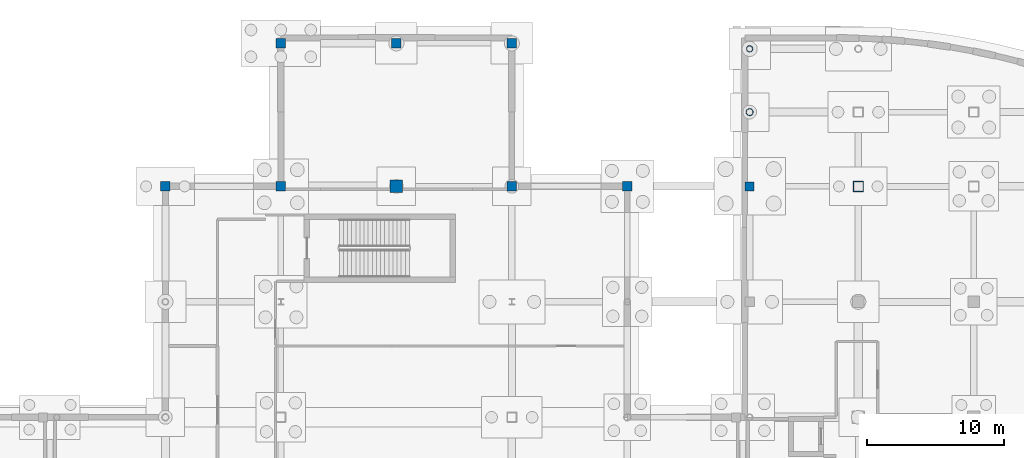
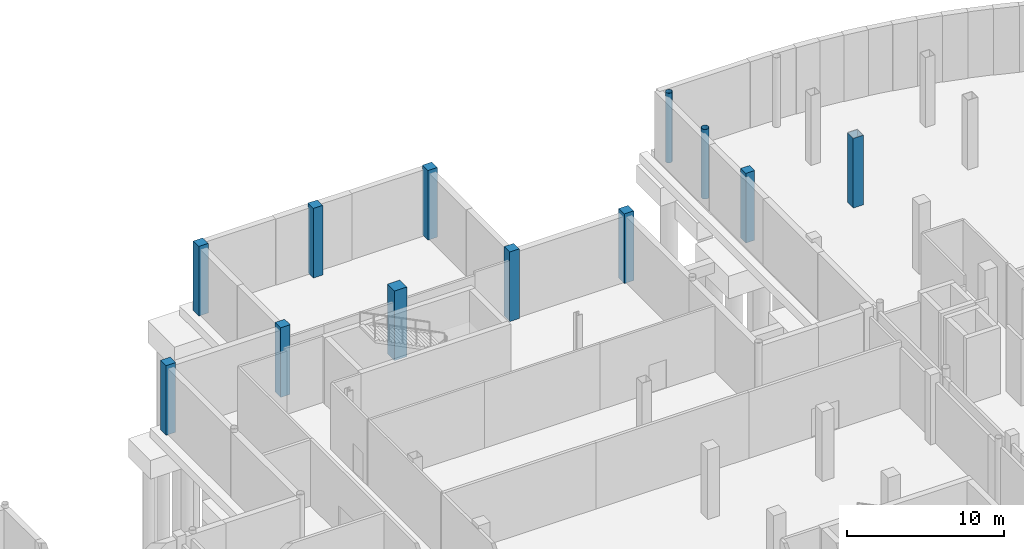
# One storey, part 16 of 49: 12 columns.
"""IFC4 building model written with IfcOpenShell, lengths in metres."""

from ifc_helpers import new_model, si_unit, direction, frame, origin, origin_2d, place, context, subcontext, project, spatial, rectangle, hollow_rectangle, hollow_circle, extrude, material, material_profile, profile_set, type_object, element, save


model = new_model("IFC4")

# Units and contexts
model_context = context("Model", 3, precision=1e-05, world=origin(), true_north=direction((0.0, 1.0)))
body_context = subcontext(model_context, "Body", "Model", "MODEL_VIEW")
ifc_project = project(units=[si_unit("LENGTHUNIT", "METRE"), si_unit("AREAUNIT", "SQUARE_METRE"), si_unit("VOLUMEUNIT", "CUBIC_METRE"), si_unit("PLANEANGLEUNIT", "RADIAN"), si_unit("MASSUNIT", "GRAM", prefix="KILO"), si_unit("THERMODYNAMICTEMPERATUREUNIT", "KELVIN")], contexts=[model_context])

# Site, building, storey
site_placement = place(None, origin())
site = spatial("IfcSite", under=ifc_project, at=site_placement, CompositionType="ELEMENT")
building_placement = place(site_placement, origin())
building = spatial("IfcBuilding", under=site, at=building_placement, Name="Lustrewick Department Store", CompositionType="ELEMENT")
storey_placement = place(building_placement, frame((0.0, 0.0, -5.39990234375)))
storey = spatial("IfcBuildingStorey", under=building, at=storey_placement, Name="B1", CompositionType="ELEMENT", Elevation=-5.39990234375)

# Columns
ifc_material_1 = material(Name="Structural steel Q355C", Category="steel")
ifc_material_profile_1 = material_profile(ifc_material_1, hollow_rectangle(XDim=0.75, YDim=0.75, WallThickness=0.028076171875, at=origin_2d()), Name="BOX 750x750x28")
ifc_profile_set_1 = profile_set([ifc_material_profile_1], Name="Structural steel Q355C")
column_type_1 = type_object("IfcColumnType", Name="C01", PredefinedType="COLUMN", material=ifc_profile_set_1)
column_1_placement = place(storey_placement, frame((117.60009765625, 100.800048828125, 0.0), z_axis=(0.0, 0.0, 1.0), x_axis=(1.0, 0.0, 0.0)))
element("IfcColumn", 1, at=column_1_placement, inside=storey, type_object=column_type_1, Name="B1 V4 Column C01", PredefinedType="COLUMN", context=body_context, shape_type="SweptSolid", body=[
    extrude(hollow_rectangle(XDim=0.75, YDim=0.75, WallThickness=0.028076171875, at=origin_2d()), origin(), (0.0, 0.0, 1.0), 5.39990234375),
])
ifc_material_2 = material(Name="Concrete C50", Category="concrete")
ifc_material_profile_2 = material_profile(ifc_material_2, rectangle(XDim=0.89990234375, YDim=0.89990234375, at=origin_2d()), Name="RC 900x900")
ifc_profile_set_2 = profile_set([ifc_material_profile_2], Name="Concrete C50")
column_type_2 = type_object("IfcColumnType", Name="C17", PredefinedType="COLUMN", material=ifc_profile_set_2)
column_2_placement = place(storey_placement, frame((84.0, 100.800048828125, 0.0), z_axis=(0.0, 0.0, 1.0), x_axis=(1.0, 0.0, 0.0)))
element("IfcColumn", 2, at=column_2_placement, inside=storey, type_object=column_type_2, Name="B1 V2 Column C17", PredefinedType="COLUMN", context=body_context, shape_type="SweptSolid", body=[
    extrude(rectangle(XDim=0.89990234375, YDim=0.89990234375, at=origin_2d()), origin(), (0.0, 0.0, 1.0), 5.39990234375),
])
ifc_material_profile_3 = material_profile(ifc_material_1, hollow_circle(Radius=0.25390625, WallThickness=0.01611328125, at=origin_2d()), Name="CHS 508x16")
ifc_profile_set_3 = profile_set([ifc_material_profile_3], Name="Structural steel Q355C")
column_type_3 = type_object("IfcColumnType", Name="CE01", PredefinedType="COLUMN", material=ifc_profile_set_3)
column_3_placement = place(storey_placement, frame((109.699951171875, 106.199951171875, 0.0), z_axis=(0.0, 0.0, 1.0), x_axis=(1.0, 0.0, 0.0)))
element("IfcColumn", 3, at=column_3_placement, inside=storey, type_object=column_type_3, Name="B1 V4 Column CE01", PredefinedType="COLUMN", context=body_context, shape_type="SweptSolid", body=[
    extrude(hollow_circle(Radius=0.25390625, WallThickness=0.01611328125, at=origin_2d()), origin(), (0.0, 0.0, 1.0), 5.39990234375),
])
ifc_material_profile_4 = material_profile(ifc_material_1, hollow_circle(Radius=0.228515625, WallThickness=0.01611328125, at=origin_2d()), Name="CHS 457x16")
ifc_profile_set_4 = profile_set([ifc_material_profile_4], Name="Structural steel Q355C")
column_type_4 = type_object("IfcColumnType", Name="CE02", PredefinedType="COLUMN", material=ifc_profile_set_4)
column_4_placement = place(storey_placement, frame((109.699951171875, 110.800048828125, 0.0), z_axis=(0.0, 0.0, 1.0), x_axis=(1.0, 0.0, 0.0)))
element("IfcColumn", 4, at=column_4_placement, inside=storey, type_object=column_type_4, Name="B1 V4 Column CE02", PredefinedType="COLUMN", context=body_context, shape_type="SweptSolid", body=[
    extrude(hollow_circle(Radius=0.228515625, WallThickness=0.01611328125, at=origin_2d()), origin(), (0.0, 0.0, 1.0), 5.39990234375),
])
ifc_material_3 = material(Name="Concrete C40", Category="concrete")
ifc_material_profile_5 = material_profile(ifc_material_3, rectangle(XDim=0.699951171875, YDim=0.699951171875, at=origin_2d()), Name="RC 700x700")
ifc_profile_set_5 = profile_set([ifc_material_profile_5], Name="Concrete C40")
column_type_5 = type_object("IfcColumnType", Name="CE06", PredefinedType="COLUMN", material=ifc_profile_set_5)
for number, where, z_axis, x_axis, name in (
    (5, (67.199951171875, 100.800048828125, 0.0), (0.0, 0.0, 1.0), (1.0, 0.0, 0.0), "B1 V2 Column CE06"),
    (6, (75.60009765625, 100.800048828125, 0.0), (0.0, 0.0, 1.0), (1.0, 0.0, 0.0), "B1 V2 Column CE06"),
    (7, (75.60009765625, 111.199951171875, 0.0), (0.0, 0.0, 1.0), (1.0, 0.0, 0.0), "B1 V2 Column CE06"),
    (8, (84.0, 111.199951171875, 0.0), (0.0, 0.0, 1.0), (1.0, 0.0, 0.0), "B1 V2 Column CE06"),
    (9, (92.39990234375, 100.800048828125, 0.0), (0.0, 0.0, 1.0), (1.0, 0.0, 0.0), "B1 V2 Column CE06"),
    (10, (92.39990234375, 111.199951171875, 0.0), (0.0, 0.0, 1.0), (1.0, 0.0, 0.0), "B1 V2 Column CE06"),
    (11, (100.800048828125, 100.800048828125, 0.0), (0.0, 0.0, 1.0), (1.0, 0.0, 0.0), "B1 V2 Column CE06"),
):
    element("IfcColumn", number, at=place(storey_placement, frame(where, z_axis=z_axis, x_axis=x_axis)), inside=storey, type_object=column_type_5, Name=name, PredefinedType="COLUMN", context=body_context, shape_type="SweptSolid", body=[
        extrude(rectangle(XDim=0.699951171875, YDim=0.699951171875, at=origin_2d()), origin(), (0.0, 0.0, 1.0), 5.39990234375),
    ])
ifc_material_profile_6 = material_profile(ifc_material_3, rectangle(XDim=0.64990234375, YDim=0.64990234375, at=origin_2d()), Name="RC 650x650")
ifc_profile_set_6 = profile_set([ifc_material_profile_6], Name="Concrete C40")
column_type_6 = type_object("IfcColumnType", Name="CE07", PredefinedType="COLUMN", material=ifc_profile_set_6)
column_5_placement = place(storey_placement, frame((109.699951171875, 100.800048828125, 0.0), z_axis=(0.0, 0.0, 1.0), x_axis=(1.0, 0.0, 0.0)))
element("IfcColumn", 12, at=column_5_placement, inside=storey, type_object=column_type_6, Name="B1 V4 Column CE07", PredefinedType="COLUMN", context=body_context, shape_type="SweptSolid", body=[
    extrude(rectangle(XDim=0.64990234375, YDim=0.64990234375, at=origin_2d()), origin(), (0.0, 0.0, 1.0), 5.39990234375),
])

save(model, "model.ifc")
